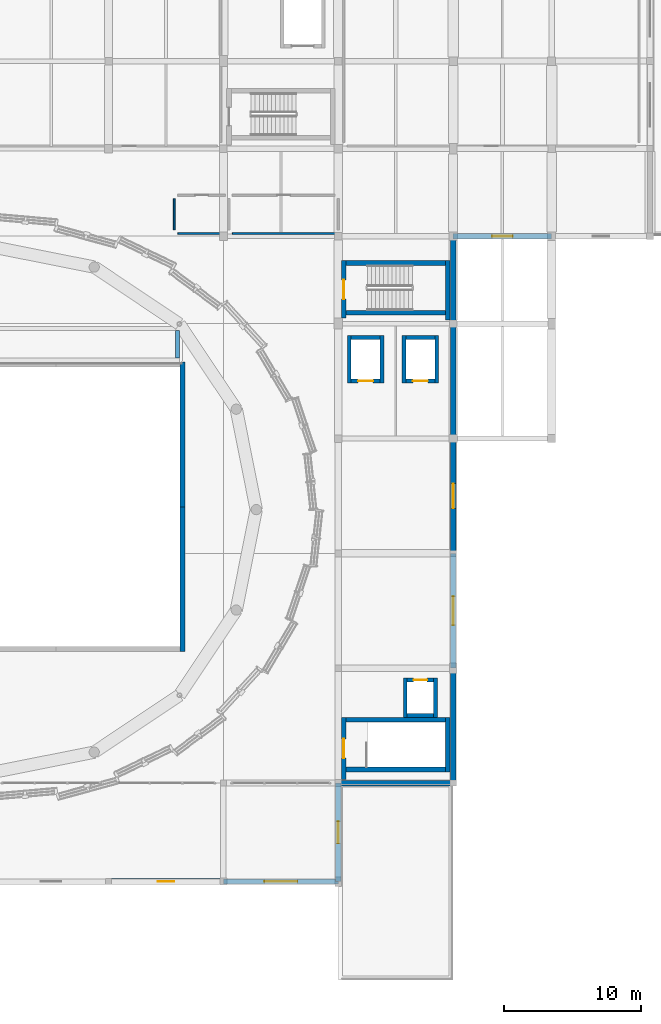
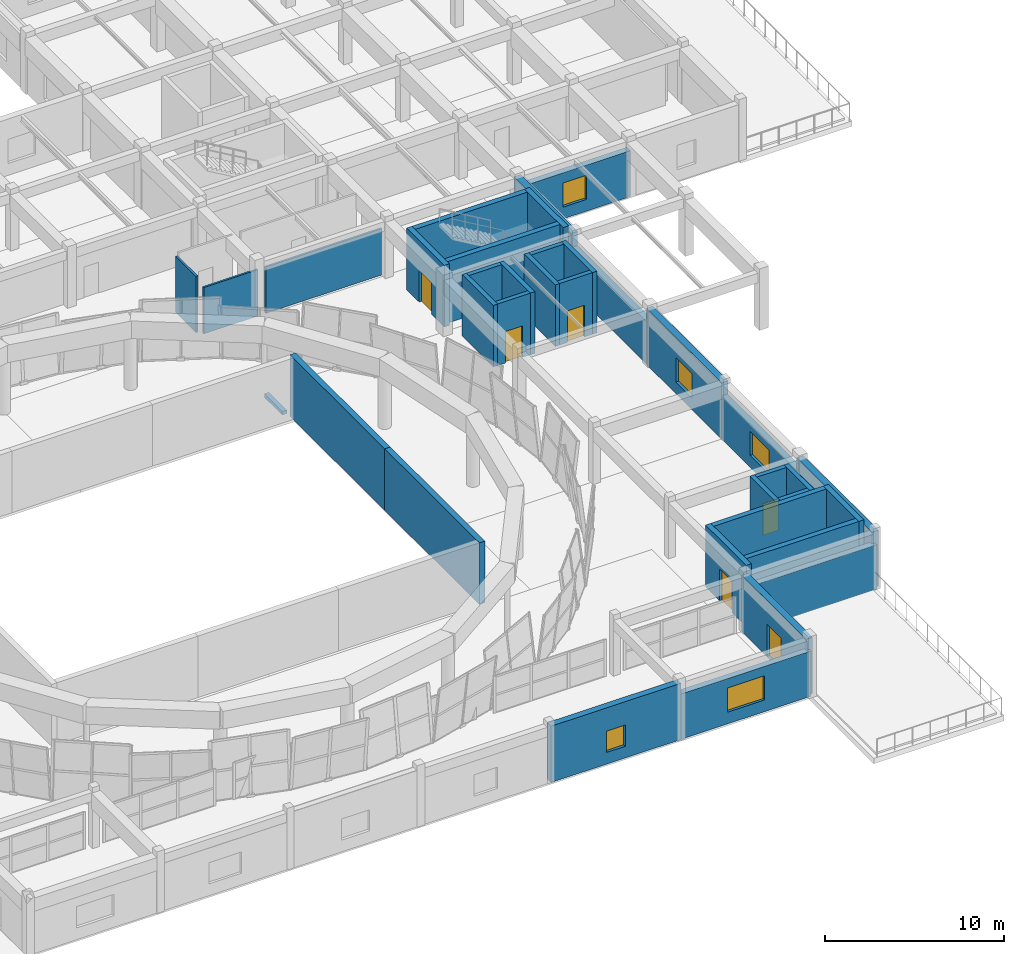
# One storey, part 30 of 40: 36 walls, 6 doors, 5 windows, 11 openings.
"""IFC4 building model written with IfcOpenShell, lengths in metres."""

from ifc_helpers import new_model, si_unit, direction, frame, frame_2d, origin, place, context, subcontext, project, spatial, rectangle, extrude, material, layer, layer_set, type_object, element, fill, save


model = new_model("IFC4")

# Units and contexts
model_context = context("Model", 3, precision=1e-05, world=origin(), true_north=direction((0.0, 1.0)))
body_context = subcontext(model_context, "Body", "Model", "MODEL_VIEW")
ifc_project = project(units=[si_unit("LENGTHUNIT", "METRE"), si_unit("AREAUNIT", "SQUARE_METRE"), si_unit("VOLUMEUNIT", "CUBIC_METRE"), si_unit("PLANEANGLEUNIT", "RADIAN"), si_unit("MASSUNIT", "GRAM", prefix="KILO")], contexts=[model_context])

# Site, building, storey
site_placement = place(None, origin())
site = spatial("IfcSite", under=ifc_project, at=site_placement, CompositionType="ELEMENT")
building_placement = place(site_placement, origin())
building = spatial("IfcBuilding", under=site, at=building_placement, Name="Korsvaeld Concert Hall", CompositionType="ELEMENT")
storey_placement = place(building_placement, frame((0.0, 0.0, 13.199951171875)))
storey = spatial("IfcBuildingStorey", under=building, at=storey_placement, Name="L03", CompositionType="ELEMENT", Elevation=13.199951171875)

# Walls
ifc_material_1 = material(Name="Concrete C40/50", Category="concrete")
ifc_layer_1 = layer(ifc_material_1, 0.340087890625)
ifc_layer_set_1 = layer_set([ifc_layer_1], Name="Concrete C40/50")
wall_type_1 = type_object("IfcWallType", Name="WL-CORE-340", PredefinedType="SHEAR", material=ifc_layer_set_1)
wall_1_placement = place(storey_placement, frame((109.77001953125, 77.60009765625, 0.0), z_axis=(0.0, 0.0, 1.0), x_axis=(1.0, 0.0, 0.0)))
element("IfcWall", 1, at=wall_1_placement, inside=storey, type_object=wall_type_1, Name="Core K2 shear wall L03 S", PredefinedType="SHEAR", context=body_context, shape_type="SweptSolid", body=[
    extrude(rectangle(XDim=7.260009765625, YDim=0.340087890625, at=frame_2d((3.6298828125, 0.0))), origin(), (0.0, 0.0, 1.0), 4.199951171875),
])
wall_2_placement = place(storey_placement, frame((117.199951171875, 77.074951171875, 0.0), z_axis=(0.0, 0.0, 1.0), x_axis=(0.0, 1.0, 0.0)))
element("IfcWall", 2, at=wall_2_placement, inside=storey, type_object=wall_type_1, Name="Core K2 shear wall L03 E", PredefinedType="SHEAR", context=body_context, shape_type="SweptSolid", body=[
    extrude(rectangle(XDim=4.3349609375, YDim=0.340087890625, at=frame_2d((2.16748046875, 0.0))), origin(), (0.0, 0.0, 1.0), 4.199951171875),
])
wall_3_placement = place(storey_placement, frame((117.030029296875, 81.239990234375, 0.0), z_axis=(0.0, 0.0, 1.0), x_axis=(-1.0, 0.0, 0.0)))
element("IfcWall", 3, at=wall_3_placement, inside=storey, type_object=wall_type_1, Name="Core K2 shear wall L03 N", PredefinedType="SHEAR", context=body_context, shape_type="SweptSolid", body=[
    extrude(rectangle(XDim=7.260009765625, YDim=0.340087890625, at=frame_2d((3.6298828125, 0.0))), origin(), (0.0, 0.0, 1.0), 4.199951171875),
])

# Wall, opening, door
wall_4_placement = place(storey_placement, frame((109.60009765625, 81.409912109375, 0.0), z_axis=(0.0, 0.0, 1.0), x_axis=(0.0, -1.0, 0.0)))
wall_4 = element("IfcWall", 4, at=wall_4_placement, inside=storey, type_object=wall_type_1, Name="Core K2 shear wall L03 W", PredefinedType="SHEAR", context=body_context, shape_type="SweptSolid", body=[
    extrude(rectangle(XDim=4.2099609375, YDim=0.340087890625, at=frame_2d((2.10498046875, 0.0))), origin(), (0.0, 0.0, 1.0), 4.199951171875),
])
opening_1_placement = place(wall_4_placement, frame((1.405029296875, 0.0, 0.0)))
opening_1 = element("IfcOpeningElement", 5, at=opening_1_placement, cuts=wall_4, Name="Opening FD-02", PredefinedType="OPENING", context=body_context, shape_type="SweptSolid", body=[
    extrude(rectangle(XDim=1.39990234375, YDim=2.14990234375, at=frame_2d((0.699951171875, 1.074951171875))), frame((0.0, 0.18017578125, 0.0), z_axis=(0.0, -1.0, 0.0), x_axis=(1.0, 0.0, 0.0)), (0.0, 0.0, 1.0), 0.360107421875),
])
ifc_material_2 = material(Name="Acoustic steel and oak fire door", Category="steel")
door_type_1 = type_object("IfcDoorType", Name="DR-FD-STAIR-140x215", OperationType="NOTDEFINED", PredefinedType="DOOR", material=ifc_material_2)
door_1_placement = place(opening_1_placement, origin())
door_1 = element("IfcDoor", 6, at=door_1_placement, inside=storey, type_object=door_type_1, Name="Escape stair ST-K2 fire door L03", OperationType="SINGLE_SWING_LEFT", OverallHeight=2.14990234375, OverallWidth=1.39990234375, PredefinedType="DOOR", context=body_context, shape_type="SweptSolid", body=[
    extrude(rectangle(XDim=1.39990234375, YDim=2.14990234375, at=frame_2d((0.699951171875, 1.074951171875))), frame((0.0, 0.02490234375, 0.0), z_axis=(0.0, -1.0, 0.0), x_axis=(1.0, 0.0, 0.0)), (0.0, 0.0, 1.0), 0.050048828125),
])
fill(opening_1, door_1)

# Walls
wall_5_placement = place(storey_placement, frame((109.77001953125, 44.199951171875, 0.0), z_axis=(0.0, 0.0, 1.0), x_axis=(1.0, 0.0, 0.0)))
element("IfcWall", 7, at=wall_5_placement, inside=storey, type_object=wall_type_1, Name="Core K4 shear wall L03 S", PredefinedType="SHEAR", context=body_context, shape_type="SweptSolid", body=[
    extrude(rectangle(XDim=7.260009765625, YDim=0.340087890625, at=frame_2d((3.6298828125, 0.0))), origin(), (0.0, 0.0, 1.0), 4.199951171875),
])
wall_6_placement = place(storey_placement, frame((117.199951171875, 44.030029296875, 0.0), z_axis=(0.0, 0.0, 1.0), x_axis=(0.0, 1.0, 0.0)))
element("IfcWall", 8, at=wall_6_placement, inside=storey, type_object=wall_type_1, Name="Core K4 shear wall L03 E", PredefinedType="SHEAR", context=body_context, shape_type="SweptSolid", body=[
    extrude(rectangle(XDim=3.97998046875, YDim=0.340087890625, at=frame_2d((1.989990234375, 0.0))), origin(), (0.0, 0.0, 1.0), 4.199951171875),
])
wall_7_placement = place(storey_placement, frame((117.030029296875, 47.840087890625, 0.0), z_axis=(0.0, 0.0, 1.0), x_axis=(-1.0, 0.0, 0.0)))
element("IfcWall", 9, at=wall_7_placement, inside=storey, type_object=wall_type_1, Name="Core K4 shear wall L03 N", PredefinedType="SHEAR", context=body_context, shape_type="SweptSolid", body=[
    extrude(rectangle(XDim=7.260009765625, YDim=0.340087890625, at=frame_2d((3.6298828125, 0.0))), origin(), (0.0, 0.0, 1.0), 4.199951171875),
])

# Wall, opening, door
wall_8_placement = place(storey_placement, frame((109.60009765625, 48.010009765625, 0.0), z_axis=(0.0, 0.0, 1.0), x_axis=(0.0, -1.0, 0.0)))
wall_8 = element("IfcWall", 10, at=wall_8_placement, inside=storey, type_object=wall_type_1, Name="Core K4 shear wall L03 W", PredefinedType="SHEAR", context=body_context, shape_type="SweptSolid", body=[
    extrude(rectangle(XDim=4.56005859375, YDim=0.340087890625, at=frame_2d((2.280029296875, 0.0))), origin(), (0.0, 0.0, 1.0), 4.199951171875),
])
opening_2_placement = place(wall_8_placement, frame((1.580078125, 0.0, 0.0)))
opening_2 = element("IfcOpeningElement", 11, at=opening_2_placement, cuts=wall_8, Name="Opening FD-02", PredefinedType="OPENING", context=body_context, shape_type="SweptSolid", body=[
    extrude(rectangle(XDim=1.39990234375, YDim=2.14990234375, at=frame_2d((0.699951171875, 1.074951171875))), frame((0.0, 0.18017578125, 0.0), z_axis=(0.0, -1.0, 0.0), x_axis=(1.0, 0.0, 0.0)), (0.0, 0.0, 1.0), 0.360107421875),
])
door_2_placement = place(opening_2_placement, origin())
door_2 = element("IfcDoor", 12, at=door_2_placement, inside=storey, type_object=door_type_1, Name="Escape stair ST-K4 fire door L03", OperationType="SINGLE_SWING_RIGHT", OverallHeight=2.14990234375, OverallWidth=1.39990234375, PredefinedType="DOOR", context=body_context, shape_type="SweptSolid", body=[
    extrude(rectangle(XDim=1.39990234375, YDim=2.14990234375, at=frame_2d((0.699951171875, 1.074951171875))), frame((0.0, 0.02490234375, 0.0), z_axis=(0.0, -1.0, 0.0), x_axis=(1.0, 0.0, 0.0)), (0.0, 0.0, 1.0), 0.050048828125),
])
fill(opening_2, door_2)

# Wall, opening, window
ifc_material_3 = material(Name="Obernkirchener buff sandstone rainscreen on Concrete C35/45", Category="masonry")
ifc_layer_2 = layer(ifc_material_3, 0.389892578125)
ifc_layer_set_2 = layer_set([ifc_layer_2], Name="Obernkirchener buff sandstone rainscreen on Concrete C35/45")
wall_type_2 = type_object("IfcWallType", Name="WL-EXT-BUFF-390", PredefinedType="STANDARD", material=ifc_layer_set_2)
wall_9_placement = place(storey_placement, frame((124.800048828125, 83.199951171875, 0.0), z_axis=(0.0, 0.0, 1.0), x_axis=(-1.0, 0.0, 0.0)))
wall_9 = element("IfcWall", 13, at=wall_9_placement, inside=storey, type_object=wall_type_2, Name="Exterior sandstone wall L03-319", PredefinedType="STANDARD", context=body_context, shape_type="SweptSolid", body=[
    extrude(rectangle(XDim=7.199951171875, YDim=0.389892578125, at=frame_2d((3.60009765625, 0.0))), origin(), (0.0, 0.0, 1.0), 3.14013671875),
])
opening_3_placement = place(wall_9_placement, frame((2.85009765625, 0.0, 0.800048828125)))
opening_3 = element("IfcOpeningElement", 14, at=opening_3_placement, cuts=wall_9, Name="Opening WN-02", PredefinedType="OPENING", context=body_context, shape_type="SweptSolid", body=[
    extrude(rectangle(XDim=1.5, YDim=1.64990234375, at=frame_2d((0.75, 0.824951171875))), frame((0.0, 0.205078125, 0.0), z_axis=(0.0, -1.0, 0.0), x_axis=(1.0, 0.0, 0.0)), (0.0, 0.0, 1.0), 0.409912109375),
])
ifc_material_4 = material(Name="Anodised bronze frame with acoustic triple glazing", Category="glass")
window_type_1 = type_object("IfcWindowType", Name="WIN-AC-150x165", PartitioningType="SINGLE_PANEL", PredefinedType="WINDOW", material=ifc_material_4)
window_1_placement = place(opening_3_placement, origin())
window_1 = element("IfcWindow", 15, at=window_1_placement, inside=storey, type_object=window_type_1, Name="Acoustic triple-glazed window L03-213", OverallHeight=1.64990234375, OverallWidth=1.5, PartitioningType="SINGLE_PANEL", PredefinedType="WINDOW", context=body_context, shape_type="SweptSolid", body=[
    extrude(rectangle(XDim=1.5, YDim=1.64990234375, at=frame_2d((0.75, 0.824951171875))), frame((0.0, 0.030029296875, 0.0), z_axis=(0.0, -1.0, 0.0), x_axis=(1.0, 0.0, 0.0)), (0.0, 0.0, 1.0), 0.06005859375),
])
fill(opening_3, window_1)

# Wall
wall_10_placement = place(storey_placement, frame((117.60009765625, 76.800048828125, 0.0), z_axis=(0.0, 0.0, 1.0), x_axis=(0.0, -1.0, 0.0)))
element("IfcWall", 16, at=wall_10_placement, inside=storey, type_object=wall_type_2, Name="Exterior sandstone wall L03-321", PredefinedType="STANDARD", context=body_context, shape_type="SweptSolid", body=[
    extrude(rectangle(XDim=8.400146484375, YDim=0.389892578125, at=frame_2d((4.2001953125, 0.0))), origin(), (0.0, 0.0, 1.0), 2.89013671875),
])

# Wall, opening, window
wall_11_placement = place(storey_placement, frame((117.60009765625, 60.0, 0.0), z_axis=(0.0, 0.0, 1.0), x_axis=(0.0, -1.0, 0.0)))
wall_11 = element("IfcWall", 17, at=wall_11_placement, inside=storey, type_object=wall_type_2, Name="Exterior sandstone wall L03-323", PredefinedType="STANDARD", context=body_context, shape_type="SweptSolid", body=[
    extrude(rectangle(XDim=8.39990234375, YDim=0.389892578125, at=frame_2d((4.199951171875, 0.0))), origin(), (0.0, 0.0, 1.0), 2.93994140625),
])
opening_4_placement = place(wall_11_placement, frame((3.14990234375, 0.0, 0.800048828125)))
opening_4 = element("IfcOpeningElement", 18, at=opening_4_placement, cuts=wall_11, Name="Opening WN-04", PredefinedType="OPENING", context=body_context, shape_type="SweptSolid", body=[
    extrude(rectangle(XDim=2.10009765625, YDim=1.64990234375, at=frame_2d((1.050048828125, 0.824951171875))), frame((0.0, 0.205078125, 0.0), z_axis=(0.0, -1.0, 0.0), x_axis=(1.0, 0.0, 0.0)), (0.0, 0.0, 1.0), 0.409912109375),
])
window_type_2 = type_object("IfcWindowType", Name="WIN-AC-210x165", PartitioningType="SINGLE_PANEL", PredefinedType="WINDOW", material=ifc_material_4)
window_2_placement = place(opening_4_placement, origin())
window_2 = element("IfcWindow", 19, at=window_2_placement, inside=storey, type_object=window_type_2, Name="Acoustic triple-glazed window L03-215", OverallHeight=1.64990234375, OverallWidth=2.10009765625, PartitioningType="SINGLE_PANEL", PredefinedType="WINDOW", context=body_context, shape_type="SweptSolid", body=[
    extrude(rectangle(XDim=2.10009765625, YDim=1.64990234375, at=frame_2d((1.050048828125, 0.824951171875))), frame((0.0, 0.030029296875, 0.0), z_axis=(0.0, -1.0, 0.0), x_axis=(1.0, 0.0, 0.0)), (0.0, 0.0, 1.0), 0.06005859375),
])
fill(opening_4, window_2)

# Wall
wall_12_placement = place(storey_placement, frame((117.60009765625, 43.199951171875, 0.0), z_axis=(0.0, 0.0, 1.0), x_axis=(-1.0, 0.0, 0.0)))
element("IfcWall", 20, at=wall_12_placement, inside=storey, type_object=wall_type_2, Name="Exterior sandstone wall L03-325", PredefinedType="STANDARD", context=body_context, shape_type="SweptSolid", body=[
    extrude(rectangle(XDim=8.400146484375, YDim=0.389892578125, at=frame_2d((4.2001953125, 0.0))), origin(), (0.0, 0.0, 1.0), 3.0400390625),
])

# Wall, opening, window
wall_13_placement = place(storey_placement, frame((109.199951171875, 36.0, 0.0), z_axis=(0.0, 0.0, 1.0), x_axis=(-1.0, 0.0, 0.0)))
wall_13 = element("IfcWall", 21, at=wall_13_placement, inside=storey, type_object=wall_type_2, Name="Exterior sandstone wall L03-327", PredefinedType="STANDARD", context=body_context, shape_type="SweptSolid", body=[
    extrude(rectangle(XDim=8.39990234375, YDim=0.389892578125, at=frame_2d((4.199951171875, 0.0))), origin(), (0.0, 0.0, 1.0), 3.090087890625),
])
opening_5_placement = place(wall_13_placement, frame((3.0, 0.0, 0.800048828125)))
opening_5 = element("IfcOpeningElement", 22, at=opening_5_placement, cuts=wall_13, Name="Opening WN-05", PredefinedType="OPENING", context=body_context, shape_type="SweptSolid", body=[
    extrude(rectangle(XDim=2.39990234375, YDim=1.64990234375, at=frame_2d((1.199951171875, 0.824951171875))), frame((0.0, 0.205078125, 0.0), z_axis=(0.0, -1.0, 0.0), x_axis=(1.0, 0.0, 0.0)), (0.0, 0.0, 1.0), 0.409912109375),
])
window_type_3 = type_object("IfcWindowType", Name="WIN-AC-240x165", PartitioningType="TRIPLE_PANEL_VERTICAL", PredefinedType="WINDOW", material=ifc_material_4)
window_3_placement = place(opening_5_placement, origin())
window_3 = element("IfcWindow", 23, at=window_3_placement, inside=storey, type_object=window_type_3, Name="Acoustic triple-glazed window L03-216", OverallHeight=1.64990234375, OverallWidth=2.39990234375, PartitioningType="TRIPLE_PANEL_VERTICAL", PredefinedType="WINDOW", context=body_context, shape_type="SweptSolid", body=[
    extrude(rectangle(XDim=2.39990234375, YDim=1.64990234375, at=frame_2d((1.199951171875, 0.824951171875))), frame((0.0, 0.030029296875, 0.0), z_axis=(0.0, -1.0, 0.0), x_axis=(1.0, 0.0, 0.0)), (0.0, 0.0, 1.0), 0.06005859375),
])
fill(opening_5, window_3)

# Wall
ifc_material_5 = material(Name="Bornholm Nexo rose-red sandstone rainscreen on Concrete C35/45", Category="masonry")
ifc_layer_3 = layer(ifc_material_5, 0.419921875)
ifc_layer_set_3 = layer_set([ifc_layer_3], Name="Bornholm Nexo rose-red sandstone rainscreen on Concrete C35/45")
wall_type_3 = type_object("IfcWallType", Name="WL-EXT-NEXO-420", PredefinedType="STANDARD", material=ifc_layer_set_3)
wall_14_placement = place(storey_placement, frame((117.60009765625, 83.199951171875, 0.0), z_axis=(0.0, 0.0, 1.0), x_axis=(0.0, -1.0, 0.0)))
element("IfcWall", 24, at=wall_14_placement, inside=storey, type_object=wall_type_3, Name="Exterior sandstone wall L03-320", PredefinedType="STANDARD", context=body_context, shape_type="SweptSolid", body=[
    extrude(rectangle(XDim=6.39990234375, YDim=0.419921875, at=frame_2d((3.199951171875, 0.0))), origin(), (0.0, 0.0, 1.0), 3.840087890625),
])

# Wall, opening, window
wall_15_placement = place(storey_placement, frame((117.60009765625, 68.39990234375, 0.0), z_axis=(0.0, 0.0, 1.0), x_axis=(0.0, -1.0, 0.0)))
wall_15 = element("IfcWall", 25, at=wall_15_placement, inside=storey, type_object=wall_type_3, Name="Exterior sandstone wall L03-322", PredefinedType="STANDARD", context=body_context, shape_type="SweptSolid", body=[
    extrude(rectangle(XDim=8.39990234375, YDim=0.419921875, at=frame_2d((4.199951171875, 0.0))), origin(), (0.0, 0.0, 1.0), 3.840087890625),
])
opening_6_placement = place(wall_15_placement, frame((3.300048828125, 0.0, 0.800048828125)))
opening_6 = element("IfcOpeningElement", 26, at=opening_6_placement, cuts=wall_15, Name="Opening WN-03", PredefinedType="OPENING", context=body_context, shape_type="SweptSolid", body=[
    extrude(rectangle(XDim=1.800048828125, YDim=1.64990234375, at=frame_2d((0.89990234375, 0.824951171875))), frame((0.0, 0.219970703125, 0.0), z_axis=(0.0, -1.0, 0.0), x_axis=(1.0, 0.0, 0.0)), (0.0, 0.0, 1.0), 0.43994140625),
])
window_type_4 = type_object("IfcWindowType", Name="WIN-AC-180x165", PartitioningType="SINGLE_PANEL", PredefinedType="WINDOW", material=ifc_material_4)
window_4_placement = place(opening_6_placement, origin())
window_4 = element("IfcWindow", 27, at=window_4_placement, inside=storey, type_object=window_type_4, Name="Acoustic triple-glazed window L03-214", OverallHeight=1.64990234375, OverallWidth=1.800048828125, PartitioningType="SINGLE_PANEL", PredefinedType="WINDOW", context=body_context, shape_type="SweptSolid", body=[
    extrude(rectangle(XDim=1.800048828125, YDim=1.64990234375, at=frame_2d((0.89990234375, 0.824951171875))), frame((0.0, 0.030029296875, 0.0), z_axis=(0.0, -1.0, 0.0), x_axis=(1.0, 0.0, 0.0)), (0.0, 0.0, 1.0), 0.06005859375),
])
fill(opening_6, window_4)

# Wall
wall_16_placement = place(storey_placement, frame((117.60009765625, 51.60009765625, 0.0), z_axis=(0.0, 0.0, 1.0), x_axis=(0.0, -1.0, 0.0)))
element("IfcWall", 28, at=wall_16_placement, inside=storey, type_object=wall_type_3, Name="Exterior sandstone wall L03-324", PredefinedType="STANDARD", context=body_context, shape_type="SweptSolid", body=[
    extrude(rectangle(XDim=8.400146484375, YDim=0.419921875, at=frame_2d((4.2001953125, 0.0))), origin(), (0.0, 0.0, 1.0), 3.840087890625),
])

# Wall, opening, door
wall_17_placement = place(storey_placement, frame((109.199951171875, 43.199951171875, 0.0), z_axis=(0.0, 0.0, 1.0), x_axis=(0.0, -1.0, 0.0)))
wall_17 = element("IfcWall", 29, at=wall_17_placement, inside=storey, type_object=wall_type_3, Name="Exterior sandstone wall L03-326", PredefinedType="STANDARD", context=body_context, shape_type="SweptSolid", body=[
    extrude(rectangle(XDim=7.199951171875, YDim=0.419921875, at=frame_2d((3.60009765625, 0.0))), origin(), (0.0, 0.0, 1.0), 3.840087890625),
])
opening_7_placement = place(wall_17_placement, frame((2.800048828125, 0.0, 0.0)))
opening_7 = element("IfcOpeningElement", 30, at=opening_7_placement, cuts=wall_17, Name="Opening TD-02", PredefinedType="OPENING", context=body_context, shape_type="SweptSolid", body=[
    extrude(rectangle(XDim=1.60009765625, YDim=2.199951171875, at=frame_2d((0.800048828125, 1.10009765625))), frame((0.0, 0.219970703125, 0.0), z_axis=(0.0, -1.0, 0.0), x_axis=(1.0, 0.0, 0.0)), (0.0, 0.0, 1.0), 0.43994140625),
])
ifc_material_6 = material(Name="Anodised bronze terrace door")
door_type_2 = type_object("IfcDoorType", Name="DR-TER-160x220", OperationType="DOUBLE_DOOR_SINGLE_SWING", PredefinedType="DOOR", material=ifc_material_6)
door_3_placement = place(opening_7_placement, frame((1.60009765625, 0.0, 0.0), z_axis=(0.0, 0.0, 1.0), x_axis=(-1.0, 0.0, 0.0)))
door_3 = element("IfcDoor", 31, at=door_3_placement, inside=storey, type_object=door_type_2, Name="Roof-garden terrace access door TER_L03_SE", OperationType="DOUBLE_DOOR_SINGLE_SWING", OverallHeight=2.199951171875, OverallWidth=1.60009765625, PredefinedType="DOOR", context=body_context, shape_type="SweptSolid", body=[
    extrude(rectangle(XDim=1.60009765625, YDim=2.199951171875, at=frame_2d((0.800048828125, 1.10009765625))), frame((0.0, 0.02490234375, 0.0), z_axis=(0.0, -1.0, 0.0), x_axis=(1.0, 0.0, 0.0)), (0.0, 0.0, 1.0), 0.050048828125),
])
fill(opening_7, door_3)

# Wall, opening, window
wall_18_placement = place(storey_placement, frame((100.800048828125, 36.0, 0.0), z_axis=(0.0, 0.0, 1.0), x_axis=(-1.0, 0.0, 0.0)))
wall_18 = element("IfcWall", 32, at=wall_18_placement, inside=storey, type_object=wall_type_3, Name="Exterior sandstone wall L03-328", PredefinedType="STANDARD", context=body_context, shape_type="SweptSolid", body=[
    extrude(rectangle(XDim=8.400146484375, YDim=0.419921875, at=frame_2d((4.2001953125, 0.0))), origin(), (0.0, 0.0, 1.0), 3.840087890625),
])
opening_8_placement = place(wall_18_placement, frame((3.60009765625, 0.0, 0.800048828125)))
opening_8 = element("IfcOpeningElement", 33, at=opening_8_placement, cuts=wall_18, Name="Opening WN-06", PredefinedType="OPENING", context=body_context, shape_type="SweptSolid", body=[
    extrude(rectangle(XDim=1.199951171875, YDim=1.449951171875, at=frame_2d((0.60009765625, 0.72509765625))), frame((0.0, 0.219970703125, 0.0), z_axis=(0.0, -1.0, 0.0), x_axis=(1.0, 0.0, 0.0)), (0.0, 0.0, 1.0), 0.43994140625),
])
window_type_5 = type_object("IfcWindowType", Name="WIN-AC-120x145", PartitioningType="SINGLE_PANEL", PredefinedType="WINDOW", material=ifc_material_4)
window_5_placement = place(opening_8_placement, origin())
window_5 = element("IfcWindow", 34, at=window_5_placement, inside=storey, type_object=window_type_5, Name="Acoustic triple-glazed window L03-217", OverallHeight=1.449951171875, OverallWidth=1.199951171875, PartitioningType="SINGLE_PANEL", PredefinedType="WINDOW", context=body_context, shape_type="SweptSolid", body=[
    extrude(rectangle(XDim=1.199951171875, YDim=1.449951171875, at=frame_2d((0.60009765625, 0.72509765625))), frame((0.0, 0.030029296875, 0.0), z_axis=(0.0, -1.0, 0.0), x_axis=(1.0, 0.0, 0.0)), (0.0, 0.0, 1.0), 0.06005859375),
])
fill(opening_8, window_5)

# Walls
ifc_material_7 = material(Name="Bornholm Nexo crimson sandstone on Concrete C40/50", Category="masonry")
ifc_layer_4 = layer(ifc_material_7, 0.360107421875)
ifc_layer_set_4 = layer_set([ifc_layer_4], Name="Bornholm Nexo crimson sandstone on Concrete C40/50")
wall_type_4 = type_object("IfcWallType", Name="WL-HALL-360", PredefinedType="SHEAR", material=ifc_layer_set_4)
wall_19_placement = place(storey_placement, frame((97.800048828125, 52.820068359375, 0.0), z_axis=(0.0, 0.0, 1.0), x_axis=(0.0, 1.0, 0.0)))
element("IfcWall", 35, at=wall_19_placement, inside=storey, type_object=wall_type_4, Name="Acoustic hall box wall V1H L03 E.1", PredefinedType="SHEAR", context=body_context, shape_type="SweptSolid", body=[
    extrude(rectangle(XDim=10.579833984375, YDim=0.360107421875, at=frame_2d((5.2900390625, 0.0))), origin(), (0.0, 0.0, 1.0), 4.199951171875),
])
wall_20_placement = place(storey_placement, frame((97.800048828125, 63.39990234375, 0.0), z_axis=(0.0, 0.0, 1.0), x_axis=(0.0, 1.0, 0.0)))
element("IfcWall", 36, at=wall_20_placement, inside=storey, type_object=wall_type_4, Name="Acoustic hall box wall V1H L03 E.2", PredefinedType="SHEAR", context=body_context, shape_type="SweptSolid", body=[
    extrude(rectangle(XDim=10.580078125, YDim=0.360107421875, at=frame_2d((5.2900390625, 0.0))), origin(), (0.0, 0.0, 1.0), 4.199951171875),
])
ifc_material_8 = material(Name="Insulated acoustic gypsum partition")
ifc_layer_5 = layer(ifc_material_8, 0.125)
ifc_layer_set_5 = layer_set([ifc_layer_5], Name="Insulated acoustic gypsum partition")
wall_type_5 = type_object("IfcWallType", Name="WL-PART-125", PredefinedType="PARTITIONING", material=ifc_layer_set_5)
wall_21_placement = place(storey_placement, frame((101.4599609375, 83.39990234375, 0.0), z_axis=(0.0, 0.0, 1.0), x_axis=(1.0, 0.0, 0.0)))
element("IfcWall", 37, at=wall_21_placement, inside=storey, type_object=wall_type_5, Name="Interior partition L03-15 S", PredefinedType="PARTITIONING", context=body_context, shape_type="SweptSolid", body=[
    extrude(rectangle(XDim=7.47998046875, YDim=0.125, at=frame_2d((3.739990234375, 0.0))), origin(), (0.0, 0.0, 1.0), 3.1650390625),
])
wall_22_placement = place(storey_placement, frame((97.4599609375, 83.39990234375, 0.0), z_axis=(0.0, 0.0, 1.0), x_axis=(1.0, 0.0, 0.0)))
element("IfcWall", 38, at=wall_22_placement, inside=storey, type_object=wall_type_5, Name="Interior partition L03-16 S", PredefinedType="PARTITIONING", context=body_context, shape_type="SweptSolid", body=[
    extrude(rectangle(XDim=3.47998046875, YDim=0.125, at=frame_2d((1.739990234375, 0.0))), origin(), (0.0, 0.0, 1.0), 3.1650390625),
])
wall_23_placement = place(storey_placement, frame((97.199951171875, 85.93994140625, 0.0), z_axis=(0.0, 0.0, 1.0), x_axis=(0.0, -1.0, 0.0)))
element("IfcWall", 39, at=wall_23_placement, inside=storey, type_object=wall_type_5, Name="Interior partition L03-16 W", PredefinedType="PARTITIONING", context=body_context, shape_type="SweptSolid", body=[
    extrude(rectangle(XDim=2.280029296875, YDim=0.125, at=frame_2d((1.14013671875, 0.0))), origin(), (0.0, 0.0, 1.0), 3.840087890625),
])

# Wall, opening, door
ifc_layer_6 = layer(ifc_material_1, 0.280029296875)
ifc_layer_set_6 = layer_set([ifc_layer_6], Name="Concrete C40/50")
wall_type_6 = type_object("IfcWallType", Name="WL-SHAFT-280", PredefinedType="SHEAR", material=ifc_layer_set_6)
wall_24_placement = place(storey_placement, frame((110.139892578125, 72.60009765625, 0.0), z_axis=(0.0, 0.0, 1.0), x_axis=(1.0, 0.0, 0.0)))
wall_24 = element("IfcWall", 40, at=wall_24_placement, inside=storey, type_object=wall_type_6, Name="Lift LP-03 shaft wall L03 S", PredefinedType="SHEAR", context=body_context, shape_type="SweptSolid", body=[
    extrude(rectangle(XDim=2.1201171875, YDim=0.280029296875, at=frame_2d((1.06005859375, 0.0))), origin(), (0.0, 0.0, 1.0), 4.199951171875),
])
opening_9_placement = place(wall_24_placement, frame((0.510009765625, 0.0, 0.0)))
opening_9 = element("IfcOpeningElement", 41, at=opening_9_placement, cuts=wall_24, Name="Opening LD-01", PredefinedType="OPENING", context=body_context, shape_type="SweptSolid", body=[
    extrude(rectangle(XDim=1.10009765625, YDim=2.14990234375, at=frame_2d((0.550048828125, 1.074951171875))), frame((0.0, 0.14990234375, 0.0), z_axis=(0.0, -1.0, 0.0), x_axis=(1.0, 0.0, 0.0)), (0.0, 0.0, 1.0), 0.300048828125),
])
ifc_material_9 = material(Name="Brushed bronze-stainless sliding lift landing door")
door_type_3 = type_object("IfcDoorType", Name="DR-LD-PASS-110x215", OperationType="NOTDEFINED", PredefinedType="DOOR", material=ifc_material_9)
door_4_placement = place(opening_9_placement, origin())
door_4 = element("IfcDoor", 42, at=door_4_placement, inside=storey, type_object=door_type_3, Name="Lift landing door LP-03 L03", OperationType="SLIDING_TO_LEFT", OverallHeight=2.14990234375, OverallWidth=1.10009765625, PredefinedType="DOOR", context=body_context, shape_type="SweptSolid", body=[
    extrude(rectangle(XDim=1.10009765625, YDim=2.14990234375, at=frame_2d((0.550048828125, 1.074951171875))), frame((0.0, 0.02490234375, 0.0), z_axis=(0.0, -1.0, 0.0), x_axis=(1.0, 0.0, 0.0)), (0.0, 0.0, 1.0), 0.050048828125),
])
fill(opening_9, door_4)

# Walls
wall_25_placement = place(storey_placement, frame((112.39990234375, 72.4599609375, 0.0), z_axis=(0.0, 0.0, 1.0), x_axis=(0.0, 1.0, 0.0)))
element("IfcWall", 43, at=wall_25_placement, inside=storey, type_object=wall_type_6, Name="Lift LP-03 shaft wall L03 E", PredefinedType="SHEAR", context=body_context, shape_type="SweptSolid", body=[
    extrude(rectangle(XDim=3.47998046875, YDim=0.280029296875, at=frame_2d((1.739990234375, 0.0))), origin(), (0.0, 0.0, 1.0), 4.199951171875),
])
wall_26_placement = place(storey_placement, frame((112.260009765625, 75.800048828125, 0.0), z_axis=(0.0, 0.0, 1.0), x_axis=(-1.0, 0.0, 0.0)))
element("IfcWall", 44, at=wall_26_placement, inside=storey, type_object=wall_type_6, Name="Lift LP-03 shaft wall L03 N", PredefinedType="SHEAR", context=body_context, shape_type="SweptSolid", body=[
    extrude(rectangle(XDim=2.1201171875, YDim=0.280029296875, at=frame_2d((1.06005859375, 0.0))), origin(), (0.0, 0.0, 1.0), 4.199951171875),
])
wall_27_placement = place(storey_placement, frame((110.0, 75.93994140625, 0.0), z_axis=(0.0, 0.0, 1.0), x_axis=(0.0, -1.0, 0.0)))
element("IfcWall", 45, at=wall_27_placement, inside=storey, type_object=wall_type_6, Name="Lift LP-03 shaft wall L03 W", PredefinedType="SHEAR", context=body_context, shape_type="SweptSolid", body=[
    extrude(rectangle(XDim=3.47998046875, YDim=0.280029296875, at=frame_2d((1.739990234375, 0.0))), origin(), (0.0, 0.0, 1.0), 4.199951171875),
])

# Wall, opening, door
wall_28_placement = place(storey_placement, frame((114.139892578125, 72.60009765625, 0.0), z_axis=(0.0, 0.0, 1.0), x_axis=(1.0, 0.0, 0.0)))
wall_28 = element("IfcWall", 46, at=wall_28_placement, inside=storey, type_object=wall_type_6, Name="Lift LP-04 shaft wall L03 S", PredefinedType="SHEAR", context=body_context, shape_type="SweptSolid", body=[
    extrude(rectangle(XDim=2.1201171875, YDim=0.280029296875, at=frame_2d((1.06005859375, 0.0))), origin(), (0.0, 0.0, 1.0), 4.199951171875),
])
opening_10_placement = place(wall_28_placement, frame((0.510009765625, 0.0, 0.0)))
opening_10 = element("IfcOpeningElement", 47, at=opening_10_placement, cuts=wall_28, Name="Opening LD-01", PredefinedType="OPENING", context=body_context, shape_type="SweptSolid", body=[
    extrude(rectangle(XDim=1.10009765625, YDim=2.14990234375, at=frame_2d((0.550048828125, 1.074951171875))), frame((0.0, 0.14990234375, 0.0), z_axis=(0.0, -1.0, 0.0), x_axis=(1.0, 0.0, 0.0)), (0.0, 0.0, 1.0), 0.300048828125),
])
door_5_placement = place(opening_10_placement, origin())
door_5 = element("IfcDoor", 48, at=door_5_placement, inside=storey, type_object=door_type_3, Name="Lift landing door LP-04 L03", OperationType="SLIDING_TO_RIGHT", OverallHeight=2.14990234375, OverallWidth=1.10009765625, PredefinedType="DOOR", context=body_context, shape_type="SweptSolid", body=[
    extrude(rectangle(XDim=1.10009765625, YDim=2.14990234375, at=frame_2d((0.550048828125, 1.074951171875))), frame((0.0, 0.02490234375, 0.0), z_axis=(0.0, -1.0, 0.0), x_axis=(1.0, 0.0, 0.0)), (0.0, 0.0, 1.0), 0.050048828125),
])
fill(opening_10, door_5)

# Walls
wall_29_placement = place(storey_placement, frame((116.39990234375, 72.4599609375, 0.0), z_axis=(0.0, 0.0, 1.0), x_axis=(0.0, 1.0, 0.0)))
element("IfcWall", 49, at=wall_29_placement, inside=storey, type_object=wall_type_6, Name="Lift LP-04 shaft wall L03 E", PredefinedType="SHEAR", context=body_context, shape_type="SweptSolid", body=[
    extrude(rectangle(XDim=3.47998046875, YDim=0.280029296875, at=frame_2d((1.739990234375, 0.0))), origin(), (0.0, 0.0, 1.0), 4.199951171875),
])
wall_30_placement = place(storey_placement, frame((116.260009765625, 75.800048828125, 0.0), z_axis=(0.0, 0.0, 1.0), x_axis=(-1.0, 0.0, 0.0)))
element("IfcWall", 50, at=wall_30_placement, inside=storey, type_object=wall_type_6, Name="Lift LP-04 shaft wall L03 N", PredefinedType="SHEAR", context=body_context, shape_type="SweptSolid", body=[
    extrude(rectangle(XDim=2.1201171875, YDim=0.280029296875, at=frame_2d((1.06005859375, 0.0))), origin(), (0.0, 0.0, 1.0), 4.199951171875),
])
wall_31_placement = place(storey_placement, frame((114.0, 75.93994140625, 0.0), z_axis=(0.0, 0.0, 1.0), x_axis=(0.0, -1.0, 0.0)))
element("IfcWall", 51, at=wall_31_placement, inside=storey, type_object=wall_type_6, Name="Lift LP-04 shaft wall L03 W", PredefinedType="SHEAR", context=body_context, shape_type="SweptSolid", body=[
    extrude(rectangle(XDim=3.47998046875, YDim=0.280029296875, at=frame_2d((1.739990234375, 0.0))), origin(), (0.0, 0.0, 1.0), 4.199951171875),
])
wall_32_placement = place(storey_placement, frame((114.239990234375, 48.14990234375, 0.0), z_axis=(0.0, 0.0, 1.0), x_axis=(1.0, 0.0, 0.0)))
element("IfcWall", 52, at=wall_32_placement, inside=storey, type_object=wall_type_6, Name="Lift LP-06 shaft wall L03 S", PredefinedType="SHEAR", context=body_context, shape_type="SweptSolid", body=[
    extrude(rectangle(XDim=1.919921875, YDim=0.280029296875, at=frame_2d((0.9599609375, 0.0))), origin(), (0.0, 0.0, 1.0), 4.199951171875),
])
wall_33_placement = place(storey_placement, frame((116.300048828125, 48.010009765625, 0.0), z_axis=(0.0, 0.0, 1.0), x_axis=(0.0, 1.0, 0.0)))
element("IfcWall", 53, at=wall_33_placement, inside=storey, type_object=wall_type_6, Name="Lift LP-06 shaft wall L03 E", PredefinedType="SHEAR", context=body_context, shape_type="SweptSolid", body=[
    extrude(rectangle(XDim=2.8798828125, YDim=0.280029296875, at=frame_2d((1.43994140625, 0.0))), origin(), (0.0, 0.0, 1.0), 4.199951171875),
])

# Wall, opening, door
wall_34_placement = place(storey_placement, frame((116.159912109375, 50.75, 0.0), z_axis=(0.0, 0.0, 1.0), x_axis=(-1.0, 0.0, 0.0)))
wall_34 = element("IfcWall", 54, at=wall_34_placement, inside=storey, type_object=wall_type_6, Name="Lift LP-06 shaft wall L03 N", PredefinedType="SHEAR", context=body_context, shape_type="SweptSolid", body=[
    extrude(rectangle(XDim=1.919921875, YDim=0.280029296875, at=frame_2d((0.9599609375, 0.0))), origin(), (0.0, 0.0, 1.0), 4.199951171875),
])
opening_11_placement = place(wall_34_placement, frame((0.4599609375, 0.0, 0.0)))
opening_11 = element("IfcOpeningElement", 55, at=opening_11_placement, cuts=wall_34, Name="Opening LD-02", PredefinedType="OPENING", context=body_context, shape_type="SweptSolid", body=[
    extrude(rectangle(XDim=1.0, YDim=2.14990234375, at=frame_2d((0.5, 1.074951171875))), frame((0.0, 0.14990234375, 0.0), z_axis=(0.0, -1.0, 0.0), x_axis=(1.0, 0.0, 0.0)), (0.0, 0.0, 1.0), 0.300048828125),
])
door_type_4 = type_object("IfcDoorType", Name="DR-LD-PASS-100x215", OperationType="NOTDEFINED", PredefinedType="DOOR", material=ifc_material_9)
door_6_placement = place(opening_11_placement, origin())
door_6 = element("IfcDoor", 56, at=door_6_placement, inside=storey, type_object=door_type_4, Name="Lift landing door LP-06 L03", OperationType="SLIDING_TO_RIGHT", OverallHeight=2.14990234375, OverallWidth=1.0, PredefinedType="DOOR", context=body_context, shape_type="SweptSolid", body=[
    extrude(rectangle(XDim=1.0, YDim=2.14990234375, at=frame_2d((0.5, 1.074951171875))), frame((0.0, 0.02490234375, 0.0), z_axis=(0.0, -1.0, 0.0), x_axis=(1.0, 0.0, 0.0)), (0.0, 0.0, 1.0), 0.050048828125),
])
fill(opening_11, door_6)

# Walls
wall_35_placement = place(storey_placement, frame((114.10009765625, 50.889892578125, 0.0), z_axis=(0.0, 0.0, 1.0), x_axis=(0.0, -1.0, 0.0)))
element("IfcWall", 57, at=wall_35_placement, inside=storey, type_object=wall_type_6, Name="Lift LP-06 shaft wall L03 W", PredefinedType="SHEAR", context=body_context, shape_type="SweptSolid", body=[
    extrude(rectangle(XDim=2.8798828125, YDim=0.280029296875, at=frame_2d((1.43994140625, 0.0))), origin(), (0.0, 0.0, 1.0), 4.199951171875),
])
ifc_layer_7 = layer(ifc_material_1, 0.300048828125)
ifc_layer_set_7 = layer_set([ifc_layer_7], Name="Concrete C40/50")
wall_type_7 = type_object("IfcWallType", Name="WL-TIER-300", PredefinedType="SHEAR", material=ifc_layer_set_7)
wall_36_placement = place(storey_placement, frame((97.449951171875, 74.300048828125, 0.0), z_axis=(0.0, 0.0, 1.0), x_axis=(0.0, 1.0, 0.0)))
element("IfcWall", 58, at=wall_36_placement, inside=storey, type_object=wall_type_7, Name="Seating tier east flank wall V1-CHOIR-N", PredefinedType="SHEAR", context=body_context, shape_type="SweptSolid", body=[
    extrude(rectangle(XDim=2.0, YDim=0.300048828125, at=frame_2d((1.0, 0.0))), origin(), (0.0, 0.0, 1.0), 0.25),
])

save(model, "model.ifc")
